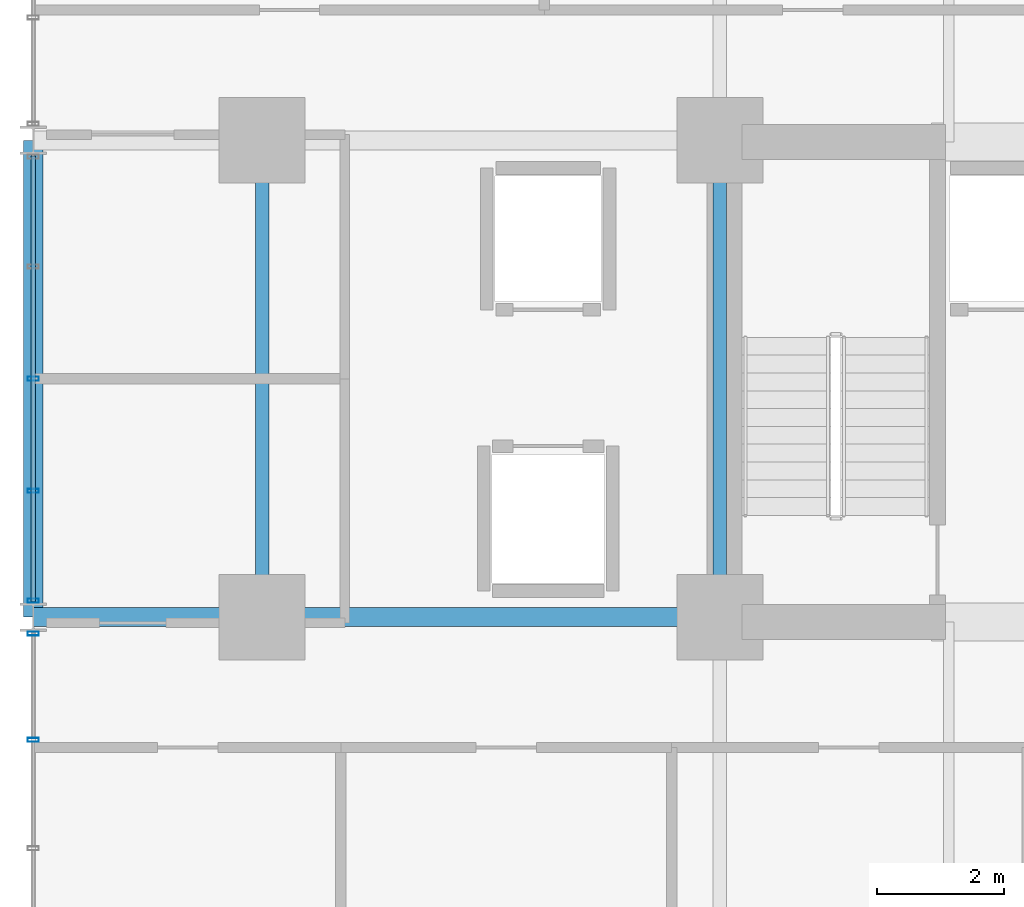
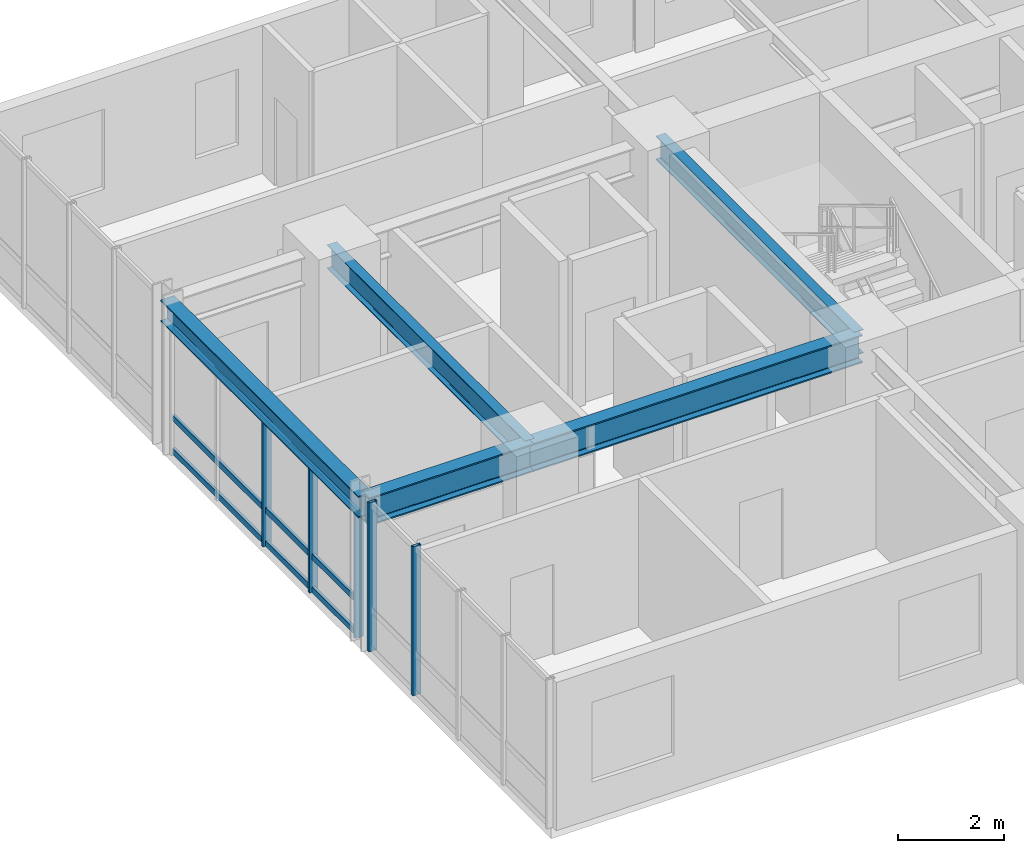
# One storey, part 4 of 19: 8 members, 5 beams, 2 elements without a shape of their own.
"""IFC4 building model written with IfcOpenShell, lengths in metres."""

from ifc_helpers import new_model, si_unit, direction, frame, origin, origin_2d, place, context, subcontext, project, spatial, hollow_rectangle, i_section, extrude, source, transform, mapped, material, layer, layer_set, material_profile, profile_set, type_object, element, aggregate, save


model = new_model("IFC4")

# Units and contexts
model_context = context("Model", 3, precision=1e-05, world=origin(), true_north=direction((0.0, 1.0)))
body_context = subcontext(model_context, "Body", "Model", "MODEL_VIEW")
ifc_project = project(units=[si_unit("LENGTHUNIT", "METRE"), si_unit("AREAUNIT", "SQUARE_METRE"), si_unit("VOLUMEUNIT", "CUBIC_METRE"), si_unit("PLANEANGLEUNIT", "RADIAN"), si_unit("MASSUNIT", "GRAM", prefix="KILO")], contexts=[model_context])

# Site, building, storey
site_placement = place(None, origin())
site = spatial("IfcSite", under=ifc_project, at=site_placement, CompositionType="ELEMENT")
building_placement = place(site_placement, origin())
building = spatial("IfcBuilding", under=site, at=building_placement, Name="Kaliganga Portal Commons", CompositionType="ELEMENT")
storey_placement = place(building_placement, frame((0.0, 0.0, 47.5)))
storey = spatial("IfcBuildingStorey", under=building, at=storey_placement, Name="L11", CompositionType="ELEMENT", Elevation=47.5)

# Beams
ifc_material_1 = material(Name="Structural steel S355J2", Category="steel")
ifc_material_profile_1 = material_profile(ifc_material_1, i_section(OverallWidth=0.300048828125, OverallDepth=0.5, WebThickness=0.014404296875, FlangeThickness=0.028076171875, FilletRadius=0.027099609375, at=origin_2d()), Name="HE 500 B")
ifc_profile_set_1 = profile_set([ifc_material_profile_1], Name="Structural steel S355J2 wide-flange")
beam_type_1 = type_object("IfcBeamType", Name="BM-SPAND-500", PredefinedType="SPANDREL", material=ifc_profile_set_1)
shared_shape_1 = source(origin(), body_context, "Body", "SweptSolid", [
    extrude(i_section(OverallWidth=0.300048828125, OverallDepth=0.5, WebThickness=0.014404296875, FlangeThickness=0.028076171875, FilletRadius=0.027099609375, at=origin_2d()), origin(), (0.0, 0.0, 1.0), 7.5),
])
beam_1_placement = place(storey_placement, frame((3.60009765625, 28.64990234375, 3.199951171875), z_axis=(0.0, 1.0, 0.0), x_axis=(-1.0, 0.0, 0.0)))
element("IfcBeam", 1, at=beam_1_placement, inside=storey, type_object=beam_type_1, Name="BM SP L11 AW", PredefinedType="SPANDREL", context=body_context, shape_type="MappedRepresentation", body=[
    mapped(shared_shape_1, transform((0.0, 0.0, 0.0), x_axis=(1.0, 0.0, 0.0), y_axis=(0.0, 1.0, 0.0), z_axis=(0.0, 0.0, 1.0), scale=1.0)),
])
ifc_material_profile_2 = material_profile(ifc_material_1, i_section(OverallWidth=0.300048828125, OverallDepth=0.64990234375, WebThickness=0.01611328125, FlangeThickness=0.031005859375, FilletRadius=0.027099609375, at=origin_2d()), Name="HE 650 B")
ifc_profile_set_2 = profile_set([ifc_material_profile_2], Name="Structural steel S355J2 wide-flange")
beam_type_2 = type_object("IfcBeamType", Name="BM-GIRD-650", PredefinedType="USERDEFINED", material=ifc_profile_set_2)
shared_shape_2 = source(origin(), body_context, "Body", "SweptSolid", [
    extrude(i_section(OverallWidth=0.300048828125, OverallDepth=0.64990234375, WebThickness=0.01611328125, FlangeThickness=0.031005859375, FilletRadius=0.027099609375, at=origin_2d()), origin(), (0.0, 0.0, 1.0), 3.599853515625),
])
beam_2_placement = place(storey_placement, frame((3.60009765625, 28.64990234375, 3.125), z_axis=(1.0, 0.0, 0.0), x_axis=(0.0, 1.0, 0.0)))
element("IfcBeam", 2, at=beam_2_placement, inside=storey, type_object=beam_type_2, Name="BM G L11 WAH_S 1", ObjectType="GIRDER", PredefinedType="USERDEFINED", context=body_context, shape_type="MappedRepresentation", body=[
    mapped(shared_shape_2, transform((0.0, 0.0, 0.0), x_axis=(1.0, 0.0, 0.0), y_axis=(0.0, 1.0, 0.0), z_axis=(0.0, 0.0, 1.0), scale=1.0)),
])
shared_shape_3 = source(origin(), body_context, "Body", "SweptSolid", [
    extrude(i_section(OverallWidth=0.300048828125, OverallDepth=0.64990234375, WebThickness=0.01611328125, FlangeThickness=0.031005859375, FilletRadius=0.027099609375, at=origin_2d()), origin(), (0.0, 0.0, 1.0), 7.199951171875),
])
beam_3_placement = place(storey_placement, frame((7.199951171875, 28.64990234375, 3.125), z_axis=(1.0, 0.0, 0.0), x_axis=(0.0, 1.0, 0.0)))
element("IfcBeam", 3, at=beam_3_placement, inside=storey, type_object=beam_type_2, Name="BM G L11 WAH_S 2", ObjectType="GIRDER", PredefinedType="USERDEFINED", context=body_context, shape_type="MappedRepresentation", body=[
    mapped(shared_shape_3, transform((0.0, 0.0, 0.0), x_axis=(1.0, 0.0, 0.0), y_axis=(0.0, 1.0, 0.0), z_axis=(0.0, 0.0, 1.0), scale=1.0)),
])
ifc_material_profile_3 = material_profile(ifc_material_1, i_section(OverallWidth=0.2099609375, OverallDepth=0.550048828125, WebThickness=0.010986328125, FlangeThickness=0.01708984375, FilletRadius=0.02392578125, at=origin_2d()), Name="IPE 550")
ifc_profile_set_3 = profile_set([ifc_material_profile_3], Name="Structural steel S355J2 wide-flange")
beam_type_3 = type_object("IfcBeamType", Name="BM-FLR-550", PredefinedType="BEAM", material=ifc_profile_set_3)
shared_shape_4 = source(origin(), body_context, "Body", "SweptSolid", [
    extrude(i_section(OverallWidth=0.2099609375, OverallDepth=0.550048828125, WebThickness=0.010986328125, FlangeThickness=0.01708984375, FilletRadius=0.02392578125, at=origin_2d()), origin(), (0.0, 0.0, 1.0), 7.5),
])
for number, where, z_axis, x_axis, name in (
    (4, (7.199951171875, 28.64990234375, 3.175048828125), (0.0, 1.0, 0.0), (-1.0, 0.0, 0.0), "BM G L11 AW72"),
    (5, (14.39990234375, 28.64990234375, 3.175048828125), (0.0, 1.0, 0.0), (-1.0, 0.0, 0.0), "BM G L11 AM144"),
):
    element("IfcBeam", number, at=place(storey_placement, frame(where, z_axis=z_axis, x_axis=x_axis)), inside=storey, type_object=beam_type_3, Name=name, PredefinedType="BEAM", context=body_context, shape_type="MappedRepresentation", body=[
        mapped(shared_shape_4, transform((0.0, 0.0, 0.0), x_axis=(1.0, 0.0, 0.0), y_axis=(0.0, 1.0, 0.0), z_axis=(0.0, 0.0, 1.0), scale=1.0)),
    ])

# Curtain wall, members
ifc_material_2 = material(Name="Anodized Aluminium and Laminated Low-E Glass", Category="aluminium")
ifc_layer = layer(ifc_material_2, 0.199951171875)
ifc_layer_set = layer_set([ifc_layer], Name="Anodized Aluminium and Laminated Low-E Glass")
curtain_wall_type = type_object("IfcCurtainWallType", Name="CW-SYS-02", PredefinedType="NOTDEFINED", material=ifc_layer_set)
curtain_wall_1_placement = place(storey_placement, origin())
curtain_wall_1 = element("IfcCurtainWall", 6, at=curtain_wall_1_placement, inside=storey, type_object=curtain_wall_type, Name="CW 02 L11 P1E03S3", PredefinedType="NOTDEFINED")
ifc_material_3 = material(Name="Dark Bronze Anodized Aluminium", Category="aluminium")
ifc_material_profile_4 = material_profile(ifc_material_3, hollow_rectangle(XDim=0.06494140625, YDim=0.179931640625, WallThickness=0.00390625, at=origin_2d()), Name="ALU MULL 65x180x4")
ifc_profile_set_4 = profile_set([ifc_material_profile_4], Name="Dark Bronze Anodized Aluminium")
member_type_1 = type_object("IfcMemberType", Name="CW-MUL-180", PredefinedType="MULLION", material=ifc_profile_set_4)
shared_shape_5 = source(origin(), body_context, "Body", "SweptSolid", [
    extrude(hollow_rectangle(XDim=0.06494140625, YDim=0.179931640625, WallThickness=0.00390625, at=origin_2d()), origin(), (0.0, 0.0, 1.0), 3.449951171875),
])
member_1_placement = place(storey_placement, frame((3.60009765625, 28.39111328125, 0.0), z_axis=(0.0, 0.0, 1.0), x_axis=(0.0, -1.0, 0.0)))
member_1 = element("IfcMember", 7, at=member_1_placement, type_object=member_type_1, Name="CW:02:L11:P1E03S3 Mullion 00", PredefinedType="MULLION", context=body_context, shape_type="MappedRepresentation", body=[
    mapped(shared_shape_5, transform((0.0, 0.0, 0.0), x_axis=(1.0, 0.0, 0.0), y_axis=(0.0, 1.0, 0.0), z_axis=(0.0, 0.0, 1.0), scale=1.0)),
])
member_2_placement = place(storey_placement, frame((3.60009765625, 26.719482421875, 0.0), z_axis=(0.0, 0.0, 1.0), x_axis=(0.0, -1.0, 0.0)))
member_2 = element("IfcMember", 8, at=member_2_placement, type_object=member_type_1, Name="CW:02:L11:P1E03S3 Mullion 01", PredefinedType="MULLION", context=body_context, shape_type="MappedRepresentation", body=[
    mapped(shared_shape_5, transform((0.0, 0.0, 0.0), x_axis=(1.0, 0.0, 0.0), y_axis=(0.0, 1.0, 0.0), z_axis=(0.0, 0.0, 1.0), scale=1.0)),
])
aggregate(curtain_wall_1, [member_1, member_2])

curtain_wall_2_placement = place(storey_placement, origin())
curtain_wall_2 = element("IfcCurtainWall", 9, at=curtain_wall_2_placement, inside=storey, type_object=curtain_wall_type, Name="CW 02 L11 P1E03S2", PredefinedType="NOTDEFINED")
shared_shape_6 = source(origin(), body_context, "Body", "SweptSolid", [
    extrude(hollow_rectangle(XDim=0.06494140625, YDim=0.179931640625, WallThickness=0.00390625, at=origin_2d()), origin(), (0.0, 0.0, 1.0), 2.949951171875),
])
member_3_placement = place(storey_placement, frame((3.60009765625, 32.39990234375, 0.0), z_axis=(0.0, 0.0, 1.0), x_axis=(0.0, -1.0, 0.0)))
member_3 = element("IfcMember", 10, at=member_3_placement, type_object=member_type_1, Name="CW:02:L11:P1E03S2 Mullion 02", PredefinedType="MULLION", context=body_context, shape_type="MappedRepresentation", body=[
    mapped(shared_shape_6, transform((0.0, 0.0, 0.0), x_axis=(1.0, 0.0, 0.0), y_axis=(0.0, 1.0, 0.0), z_axis=(0.0, 0.0, 1.0), scale=1.0)),
])
member_4_placement = place(storey_placement, frame((3.60009765625, 30.636962890625, 0.0), z_axis=(0.0, 0.0, 1.0), x_axis=(0.0, -1.0, 0.0)))
member_4 = element("IfcMember", 11, at=member_4_placement, type_object=member_type_1, Name="CW:02:L11:P1E03S2 Mullion 03", PredefinedType="MULLION", context=body_context, shape_type="MappedRepresentation", body=[
    mapped(shared_shape_6, transform((0.0, 0.0, 0.0), x_axis=(1.0, 0.0, 0.0), y_axis=(0.0, 1.0, 0.0), z_axis=(0.0, 0.0, 1.0), scale=1.0)),
])
member_5_placement = place(storey_placement, frame((3.60009765625, 28.908935546875, 0.0), z_axis=(0.0, 0.0, 1.0), x_axis=(0.0, -1.0, 0.0)))
member_5 = element("IfcMember", 12, at=member_5_placement, type_object=member_type_1, Name="CW:02:L11:P1E03S2 Mullion 04", PredefinedType="MULLION", context=body_context, shape_type="MappedRepresentation", body=[
    mapped(shared_shape_6, transform((0.0, 0.0, 0.0), x_axis=(1.0, 0.0, 0.0), y_axis=(0.0, 1.0, 0.0), z_axis=(0.0, 0.0, 1.0), scale=1.0)),
])
ifc_material_profile_5 = material_profile(ifc_material_3, hollow_rectangle(XDim=0.06494140625, YDim=0.135009765625, WallThickness=0.00341796875, at=origin_2d()), Name="ALU TRAN 65x135x3.5")
ifc_profile_set_5 = profile_set([ifc_material_profile_5], Name="Dark Bronze Anodized Aluminium")
member_type_2 = type_object("IfcMemberType", Name="CW-TRN-135", PredefinedType="USERDEFINED", material=ifc_profile_set_5)
shared_shape_7 = source(origin(), body_context, "Body", "SweptSolid", [
    extrude(hollow_rectangle(XDim=0.06494140625, YDim=0.135009765625, WallThickness=0.00341796875, at=origin_2d()), origin(), (0.0, 0.0, 1.0), 7.011962890625),
])
member_6_placement = place(storey_placement, frame((3.60009765625, 35.906005859375, 0.06005859375), z_axis=(0.0, -1.0, 0.0), x_axis=(1.0, 0.0, 0.0)))
member_6 = element("IfcMember", 13, at=member_6_placement, type_object=member_type_2, Name="CW:02:L11:P1E03S2 Transom 1", ObjectType="TRANSOM", PredefinedType="USERDEFINED", context=body_context, shape_type="MappedRepresentation", body=[
    mapped(shared_shape_7, transform((0.0, 0.0, 0.0), x_axis=(1.0, 0.0, 0.0), y_axis=(0.0, 1.0, 0.0), z_axis=(0.0, 0.0, 1.0), scale=1.0)),
])
member_7_placement = place(storey_placement, frame((3.60009765625, 35.906005859375, 0.825927734375), z_axis=(0.0, -1.0, 0.0), x_axis=(1.0, 0.0, 0.0)))
member_7 = element("IfcMember", 14, at=member_7_placement, type_object=member_type_2, Name="CW:02:L11:P1E03S2 Transom 2", ObjectType="TRANSOM", PredefinedType="USERDEFINED", context=body_context, shape_type="MappedRepresentation", body=[
    mapped(shared_shape_7, transform((0.0, 0.0, 0.0), x_axis=(1.0, 0.0, 0.0), y_axis=(0.0, 1.0, 0.0), z_axis=(0.0, 0.0, 1.0), scale=1.0)),
])
member_8_placement = place(storey_placement, frame((3.60009765625, 35.906005859375, 2.8701171875), z_axis=(0.0, -1.0, 0.0), x_axis=(1.0, 0.0, 0.0)))
member_8 = element("IfcMember", 15, at=member_8_placement, type_object=member_type_2, Name="CW:02:L11:P1E03S2 Transom 3", ObjectType="TRANSOM", PredefinedType="USERDEFINED", context=body_context, shape_type="MappedRepresentation", body=[
    mapped(shared_shape_7, transform((0.0, 0.0, 0.0), x_axis=(1.0, 0.0, 0.0), y_axis=(0.0, 1.0, 0.0), z_axis=(0.0, 0.0, 1.0), scale=1.0)),
])
aggregate(curtain_wall_2, [member_3, member_4, member_5, member_6, member_7, member_8])

save(model, "model.ifc")
